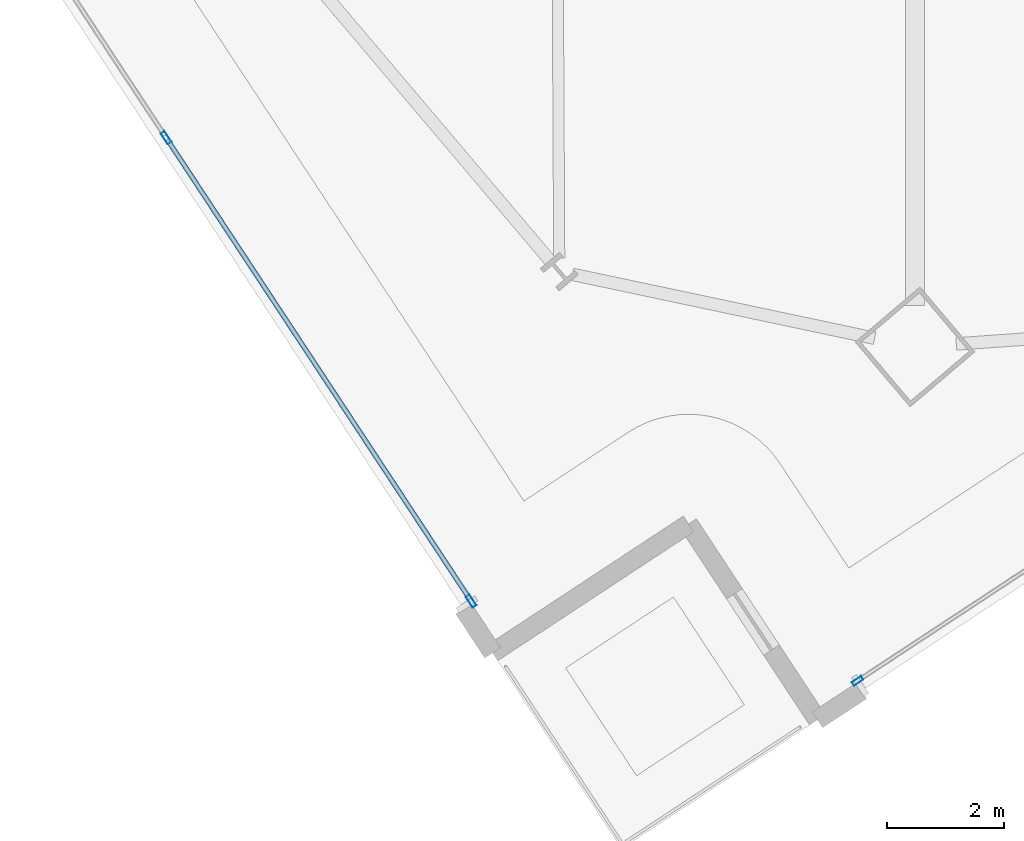
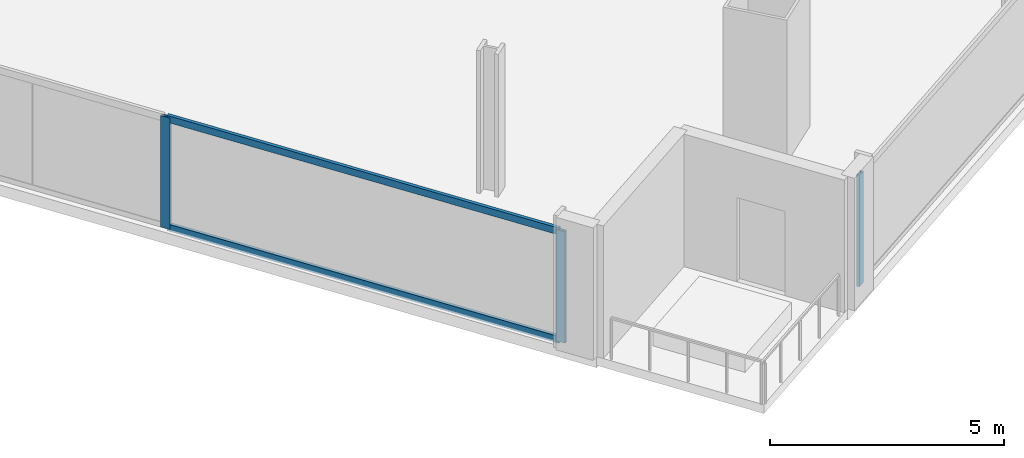
# One storey, part 2 of 29: 5 members, 2 elements without a shape of their own.
"""IFC4 building model written with IfcOpenShell, lengths in metres."""

from ifc_helpers import new_model, si_unit, direction, frame, origin, origin_2d, place, context, subcontext, project, spatial, hollow_rectangle, extrude, material, material_profile, profile_set, type_object, element, aggregate, save


model = new_model("IFC4")

# Units and contexts
model_context = context("Model", 3, precision=1e-05, world=origin(), true_north=direction((0.0, 1.0)))
body_context = subcontext(model_context, "Body", "Model", "MODEL_VIEW")
ifc_project = project(units=[si_unit("LENGTHUNIT", "METRE"), si_unit("AREAUNIT", "SQUARE_METRE"), si_unit("VOLUMEUNIT", "CUBIC_METRE"), si_unit("PLANEANGLEUNIT", "RADIAN"), si_unit("MASSUNIT", "GRAM", prefix="KILO")], contexts=[model_context])

# Site, building, storey
site_placement = place(None, origin())
site = spatial("IfcSite", under=ifc_project, at=site_placement, CompositionType="ELEMENT")
building_placement = place(site_placement, origin())
building = spatial("IfcBuilding", under=site, at=building_placement, Name="Haldenkirk Collegiate Tower", CompositionType="ELEMENT")
storey_placement = place(building_placement, frame((0.0, 0.0, 140.699951171875)))
storey = spatial("IfcBuildingStorey", under=building, at=storey_placement, Name="L34", CompositionType="ELEMENT", Elevation=140.699951171875)

# Curtain wall, member
ifc_material = material(Name="Anodised architectural bronze aluminium", Category="aluminium")
curtain_wall_type_1 = type_object("IfcCurtainWallType", Name="CW-SYS2-CONCAVE", PredefinedType="USERDEFINED", material=ifc_material)
curtain_wall_1_placement = place(storey_placement, origin())
curtain_wall_1 = element("IfcCurtainWall", 1, at=curtain_wall_1_placement, inside=storey, type_object=curtain_wall_type_1, Name="L34 South concave recessed bronze-anodised curtain wall", ObjectType="UNITISED CURTAIN WALL", PredefinedType="USERDEFINED")
ifc_material_profile_1 = material_profile(ifc_material, hollow_rectangle(XDim=0.074951171875, YDim=0.18994140625, WallThickness=0.0048828125, at=origin_2d()), Name="CW-MUL-02")
ifc_profile_set_1 = profile_set([ifc_material_profile_1], Name="Anodised architectural bronze aluminium")
member_type_1 = type_object("IfcMemberType", Name="CW-MUL-02", PredefinedType="MULLION", material=ifc_profile_set_1)
member_1_placement = place(storey_placement, frame((32.169189453125, -5.036865234375, 0.0), z_axis=(0.0, 0.0, 1.0), x_axis=(0.549751618322, -0.835328173925, 0.0)))
member_1 = element("IfcMember", 2, at=member_1_placement, type_object=member_type_1, Name="CW-02 mullion 5", PredefinedType="MULLION", context=body_context, shape_type="SweptSolid", body=[
    extrude(hollow_rectangle(XDim=0.074951171875, YDim=0.18994140625, WallThickness=0.0048828125, at=origin_2d()), origin(), (0.0, 0.0, 1.0), 2.9111328125),
])
aggregate(curtain_wall_1, [member_1])

# Curtain wall, members
curtain_wall_type_2 = type_object("IfcCurtainWallType", Name="CW-SYS1-CONVEX-LOW", PredefinedType="USERDEFINED", material=ifc_material)
curtain_wall_2_placement = place(storey_placement, origin())
curtain_wall_2 = element("IfcCurtainWall", 3, at=curtain_wall_2_placement, inside=storey, type_object=curtain_wall_type_2, Name="L34 Lower tower convex bronze-framed unitised curtain wall", ObjectType="UNITISED CURTAIN WALL", PredefinedType="USERDEFINED")
ifc_material_profile_2 = material_profile(ifc_material, hollow_rectangle(XDim=0.080078125, YDim=0.219970703125, WallThickness=0.0048828125, at=origin_2d()), Name="CW-MUL-1A")
ifc_profile_set_2 = profile_set([ifc_material_profile_2], Name="Anodised architectural bronze aluminium")
member_type_2 = type_object("IfcMemberType", Name="CW-MUL-1A", PredefinedType="MULLION", material=ifc_profile_set_2)
member_2_placement = place(storey_placement, frame((25.578369140625, -3.676025390625, 0.0), z_axis=(0.0, 0.0, 1.0), x_axis=(-0.835327147031, -0.549753178648, 0.0)))
member_2 = element("IfcMember", 4, at=member_2_placement, type_object=member_type_2, Name="CW-1A mullion 1", PredefinedType="MULLION", context=body_context, shape_type="SweptSolid", body=[
    extrude(hollow_rectangle(XDim=0.080078125, YDim=0.219970703125, WallThickness=0.0048828125, at=origin_2d()), origin(), (0.0, 0.0, 1.0), 2.9111328125),
])
member_3_placement = place(storey_placement, frame((20.377685546875, 4.22607421875, 0.0), z_axis=(0.0, 0.0, 1.0), x_axis=(-0.835327147031, -0.549753178648, 0.0)))
member_3 = element("IfcMember", 5, at=member_3_placement, type_object=member_type_2, Name="CW-1A mullion 2", PredefinedType="MULLION", context=body_context, shape_type="SweptSolid", body=[
    extrude(hollow_rectangle(XDim=0.080078125, YDim=0.219970703125, WallThickness=0.0048828125, at=origin_2d()), origin(), (0.0, 0.0, 1.0), 2.9111328125),
])
ifc_material_profile_3 = material_profile(ifc_material, hollow_rectangle(XDim=0.080078125, YDim=0.179931640625, WallThickness=0.0048828125, at=origin_2d()), Name="CW-TRN-1A")
ifc_profile_set_3 = profile_set([ifc_material_profile_3], Name="Anodised architectural bronze aluminium")
member_type_3 = type_object("IfcMemberType", Name="CW-TRN-1A", PredefinedType="USERDEFINED", material=ifc_profile_set_3)
member_4_placement = place(storey_placement, frame((25.556396484375, -3.642578125, 0.0400390625), z_axis=(-0.549765163572, 0.835319259279, 0.0), x_axis=(-0.835319259279, -0.549765163572, 0.0)))
member_4 = element("IfcMember", 6, at=member_4_placement, type_object=member_type_3, Name="CW-1A transom 1.1", ObjectType="TRANSOM", PredefinedType="USERDEFINED", context=body_context, shape_type="SweptSolid", body=[
    extrude(hollow_rectangle(XDim=0.080078125, YDim=0.179931640625, WallThickness=0.0048828125, at=origin_2d()), origin(), (0.0, 0.0, 1.0), 9.3798828125),
])
member_5_placement = place(storey_placement, frame((25.556396484375, -3.642578125, 2.87109375), z_axis=(-0.549765163572, 0.835319259279, 0.0), x_axis=(-0.835319259279, -0.549765163572, 0.0)))
member_5 = element("IfcMember", 7, at=member_5_placement, type_object=member_type_3, Name="CW-1A transom 1.2", ObjectType="TRANSOM", PredefinedType="USERDEFINED", context=body_context, shape_type="SweptSolid", body=[
    extrude(hollow_rectangle(XDim=0.080078125, YDim=0.179931640625, WallThickness=0.0048828125, at=origin_2d()), origin(), (0.0, 0.0, 1.0), 9.3798828125),
])
aggregate(curtain_wall_2, [member_2, member_3, member_4, member_5])

save(model, "model.ifc")
